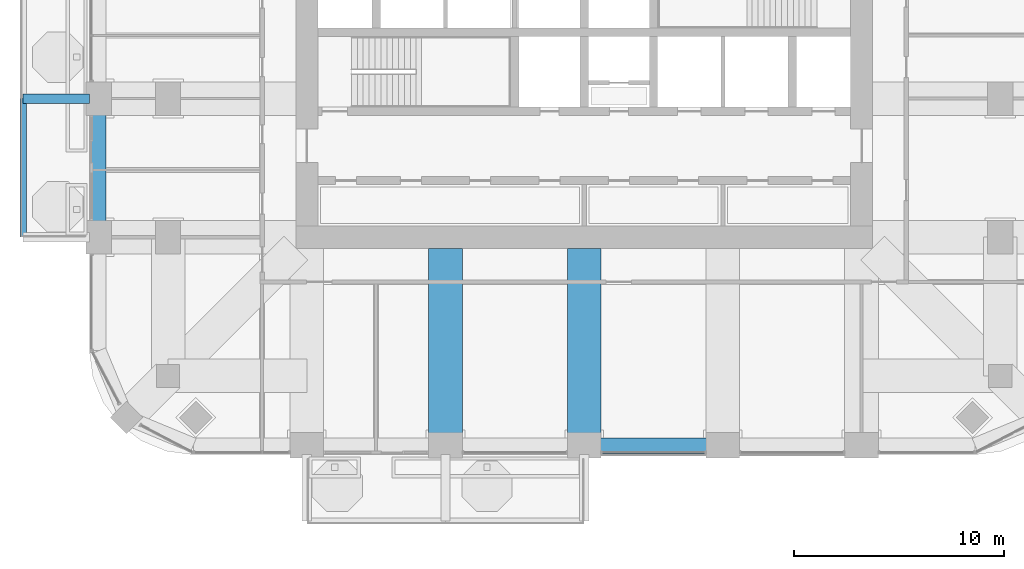
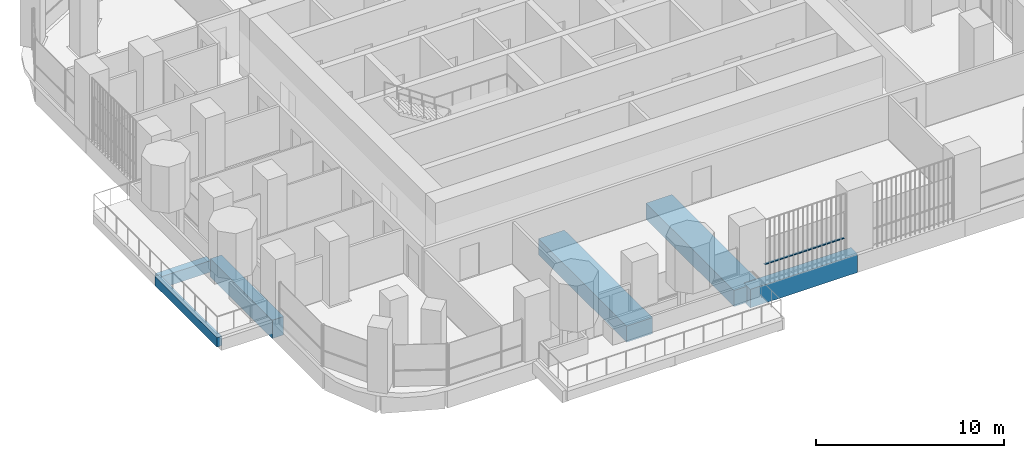
# One storey, part 3 of 20: 6 beams, 1 member, 1 element without a shape of its own.
"""IFC4 building model written with IfcOpenShell, lengths in metres."""

from ifc_helpers import new_model, si_unit, direction, frame, origin, origin_2d, place, context, subcontext, project, spatial, rectangle, extrude, material, material_profile, profile_set, type_object, element, aggregate, save


model = new_model("IFC4")

# Units and contexts
model_context = context("Model", 3, precision=1e-05, world=origin(), true_north=direction((0.0, 1.0)))
body_context = subcontext(model_context, "Body", "Model", "MODEL_VIEW")
ifc_project = project(units=[si_unit("LENGTHUNIT", "METRE"), si_unit("AREAUNIT", "SQUARE_METRE"), si_unit("VOLUMEUNIT", "CUBIC_METRE"), si_unit("PLANEANGLEUNIT", "RADIAN"), si_unit("MASSUNIT", "GRAM", prefix="KILO")], contexts=[model_context])

# Site, building, storey
site_placement = place(None, origin())
site = spatial("IfcSite", under=ifc_project, at=site_placement, CompositionType="ELEMENT")
building_placement = place(site_placement, origin())
building = spatial("IfcBuilding", under=site, at=building_placement, Name="Cobogo Forest Laboratory Tower", CompositionType="ELEMENT")
storey_placement = place(building_placement, frame((0.0, 0.0, 201.89990234375)))
storey = spatial("IfcBuildingStorey", under=building, at=storey_placement, Name="L46", CompositionType="ELEMENT", Elevation=201.89990234375)

# Beams
ifc_material_1 = material(Name="Concrete HA-40 (C40/50)", Category="concrete")
ifc_material_profile_1 = material_profile(ifc_material_1, rectangle(XDim=0.449951171875, YDim=0.75, at=origin_2d()), Name="RC 450x750")
ifc_profile_set_1 = profile_set([ifc_material_profile_1], Name="Concrete HA-40 (C40/50)")
beam_type_1 = type_object("IfcBeamType", Name="Balcony cantilever beam 450x750", PredefinedType="BEAM", material=ifc_profile_set_1)
beam_1_placement = place(storey_placement, frame((2.85009765625, 19.800048828125, -0.625), z_axis=(-1.0, 0.0, 0.0), x_axis=(0.0, -1.0, 0.0)))
element("IfcBeam", 1, at=beam_1_placement, inside=storey, type_object=beam_type_1, Name="CB1 BAL-W1-C2 L46", PredefinedType="BEAM", context=body_context, shape_type="SweptSolid", body=[
    extrude(rectangle(XDim=0.449951171875, YDim=0.75, at=origin_2d()), origin(), (0.0, 0.0, 1.0), 3.150146484375),
])
ifc_material_profile_2 = material_profile(ifc_material_1, rectangle(XDim=0.300048828125, YDim=0.60009765625, at=origin_2d()), Name="RC 300x600")
ifc_profile_set_2 = profile_set([ifc_material_profile_2], Name="Concrete HA-40 (C40/50)")
beam_type_2 = type_object("IfcBeamType", Name="Balcony edge beam 300x600", PredefinedType="BEAM", material=ifc_profile_set_2)
beam_2_placement = place(storey_placement, frame((-0.300048828125, 13.199951171875, -0.5498046875), z_axis=(0.0, 1.0, 0.0), x_axis=(-1.0, 0.0, 0.0)))
element("IfcBeam", 2, at=beam_2_placement, inside=storey, type_object=beam_type_2, Name="BB1 BAL-W1-T1 L46", PredefinedType="BEAM", context=body_context, shape_type="SweptSolid", body=[
    extrude(rectangle(XDim=0.300048828125, YDim=0.60009765625, at=origin_2d()), origin(), (0.0, 0.0, 1.0), 6.60009765625),
])
ifc_material_2 = material(Name="Concrete HA-50 (C50/60)", Category="concrete")
ifc_material_profile_3 = material_profile(ifc_material_2, rectangle(XDim=1.60009765625, YDim=1.050048828125, at=origin_2d()), Name="RC 1600x1050")
ifc_profile_set_3 = profile_set([ifc_material_profile_3], Name="Concrete HA-50 (C50/60)")
beam_type_3 = type_object("IfcBeamType", Name="Laboratory floor wide beam 1600x1050", PredefinedType="BEAM", material=ifc_profile_set_3)
for number, where, z_axis, x_axis, name in (
    (3, (19.800048828125, 12.675048828125, -0.824951171875), (0.0, -1.0, 0.0), (1.0, 0.0, 0.0), "RB8 R-4-S L46"),
    (4, (26.39990234375, 12.675048828125, -0.824951171875), (0.0, -1.0, 0.0), (1.0, 0.0, 0.0), "RB8 R-5-S L46"),
):
    element("IfcBeam", number, at=place(storey_placement, frame(where, z_axis=z_axis, x_axis=x_axis)), inside=storey, type_object=beam_type_3, Name=name, PredefinedType="BEAM", context=body_context, shape_type="SweptSolid", body=[
        extrude(rectangle(XDim=1.60009765625, YDim=1.050048828125, at=origin_2d()), origin(), (0.0, 0.0, 1.0), 9.375),
    ])
ifc_material_profile_4 = material_profile(ifc_material_1, rectangle(XDim=0.699951171875, YDim=1.199951171875, at=origin_2d()), Name="RC 700x1200")
ifc_profile_set_4 = profile_set([ifc_material_profile_4], Name="Concrete HA-40 (C40/50)")
beam_type_4 = type_object("IfcBeamType", Name="Perimeter edge beam 700x1200", PredefinedType="BEAM", material=ifc_profile_set_4)
for number, where, z_axis, x_axis, name in (
    (5, (26.39990234375, 3.300048828125, -0.89990234375), (1.0, 0.0, 0.0), (0.0, 1.0, 0.0), "EB1 E-S3 L46"),
    (6, (3.300048828125, 13.199951171875, -0.89990234375), (0.0, 1.0, 0.0), (-1.0, 0.0, 0.0), "EB1 E-W1 L46"),
):
    element("IfcBeam", number, at=place(storey_placement, frame(where, z_axis=z_axis, x_axis=x_axis)), inside=storey, type_object=beam_type_4, Name=name, PredefinedType="BEAM", context=body_context, shape_type="SweptSolid", body=[
        extrude(rectangle(XDim=0.699951171875, YDim=1.199951171875, at=origin_2d()), origin(), (0.0, 0.0, 1.0), 6.60009765625),
    ])

# Curtain wall, member
ifc_material_3 = material(Name="Aluminium curtain wall", Category="aluminium")
curtain_wall_type = type_object("IfcCurtainWallType", Name="CW-2 unitised curtain wall, solar control glazing, laboratory floors zones C and D", PredefinedType="USERDEFINED", material=ifc_material_3)
curtain_wall_placement = place(storey_placement, origin())
curtain_wall = element("IfcCurtainWall", 7, at=curtain_wall_placement, inside=storey, type_object=curtain_wall_type, Name="Curtain wall 04 L46", ObjectType="UNITISED CURTAIN WALL", PredefinedType="USERDEFINED")
ifc_material_4 = material(Name="Aluminium transom", Category="aluminium")
ifc_material_profile_5 = material_profile(ifc_material_4, rectangle(XDim=0.1201171875, YDim=0.06005859375, at=origin_2d()), Name="AL 60x120")
ifc_profile_set_5 = profile_set([ifc_material_profile_5], Name="Aluminium transom")
member_type = type_object("IfcMemberType", Name="TR-1 aluminium transom 60x120", PredefinedType="USERDEFINED", material=ifc_profile_set_5)
member_placement = place(storey_placement, frame((27.260009765625, 2.949951171875, 1.050048828125), z_axis=(1.0, 0.0, 0.0), x_axis=(0.0, 1.0, 0.0)))
member = element("IfcMember", 8, at=member_placement, type_object=member_type, Name="CW-2 transom 1.1", ObjectType="TRANSOM", PredefinedType="USERDEFINED", context=body_context, shape_type="SweptSolid", body=[
    extrude(rectangle(XDim=0.1201171875, YDim=0.06005859375, at=origin_2d()), origin(), (0.0, 0.0, 1.0), 4.8798828125),
])
aggregate(curtain_wall, [member])

save(model, "model.ifc")
